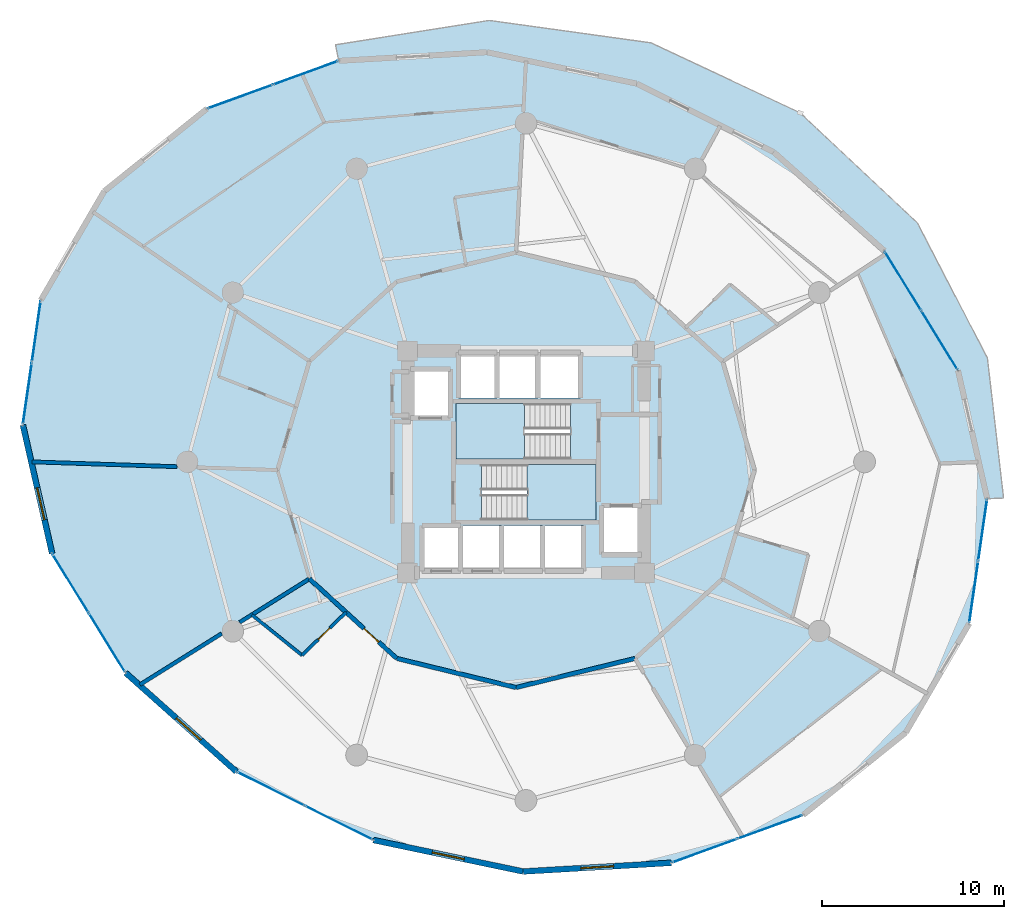
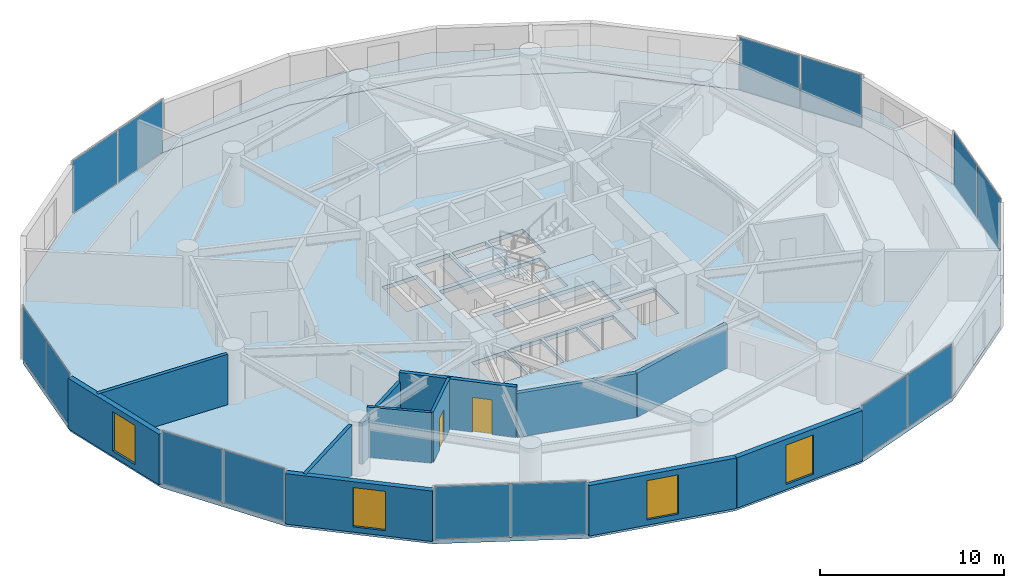
# One storey, part 20 of 26: 14 plates, 13 walls, 4 slabs, 4 windows, 2 doors, 6 openings, 9 elements without a shape of their own.
"""IFC4 building model written with IfcOpenShell, lengths in metres."""

from ifc_helpers import new_model, si_unit, direction, frame, frame_2d, origin, origin_2d, place, context, subcontext, project, spatial, polyline, rectangle, outline, extrude, source, transform, mapped, material, layer, layer_set, type_object, element, fill, aggregate, save


model = new_model("IFC4")

# Units and contexts
model_context = context("Model", 3, precision=1e-05, world=origin(), true_north=direction((0.0, 1.0)))
body_context = subcontext(model_context, "Body", "Model", "MODEL_VIEW")
ifc_project = project(units=[si_unit("LENGTHUNIT", "METRE"), si_unit("AREAUNIT", "SQUARE_METRE"), si_unit("VOLUMEUNIT", "CUBIC_METRE"), si_unit("PLANEANGLEUNIT", "RADIAN"), si_unit("MASSUNIT", "GRAM", prefix="KILO")], contexts=[model_context])

# Site, building, storey
site_placement = place(None, origin())
site = spatial("IfcSite", under=ifc_project, at=site_placement, CompositionType="ELEMENT")
building_placement = place(site_placement, origin())
building = spatial("IfcBuilding", under=site, at=building_placement, Name="Solvirekh Grand Hotel", CompositionType="ELEMENT")
storey_placement = place(building_placement, frame((0.0, 0.0, 71.60009765625)))
storey = spatial("IfcBuildingStorey", under=building, at=storey_placement, Name="L17", CompositionType="ELEMENT", Elevation=71.60009765625)

# Slab
ifc_material_1 = material(Name="Concrete C50/60", Category="concrete")
ifc_layer_1 = layer(ifc_material_1, 0.215087890625)
ifc_layer_set_1 = layer_set([ifc_layer_1], Name="Concrete C50/60")
slab_type_1 = type_object("IfcSlabType", Name="ExtCrescentBalc_215", PredefinedType="FLOOR", material=ifc_layer_set_1)
slab_1_placement = place(storey_placement, frame((0.0, 0.0, -0.215087890625)))
element("IfcSlab", 1, at=slab_1_placement, inside=storey, type_object=slab_type_1, Name="L17 sweeping crescent balcony slab", PredefinedType="FLOOR", context=body_context, shape_type="SweptSolid", body=[
    extrude(outline(polyline([(26.235107421875, -1.985107421875), (25.347900390625, 5.698974609375), (21.5029296875, 13.1201171875), (15.06494140625, 19.169921875), (6.864990234375, 23.01708984375), (-2.014892578125, 24.248046875), (-10.4619140625, 22.909912109375), (-10.283935546875, 22.028076171875), (-2.14794921875, 22.5029296875), (6.0849609375, 20.77587890625), (13.610107421875, 17.01611328125), (19.69091796875, 11.589111328125), (23.73095703125, 5.028076171875), (25.3359375, -2.02490234375), (26.235107421875, -1.985107421875)])), origin(), (0.0, 0.0, 1.0), 0.215087890625),
])

# Stair, slab
ifc_material_2 = material(Name="Concrete C40/50", Category="concrete")
stair_type = type_object("IfcStairType", Name="Stair_Core_1450", PredefinedType="HALF_TURN_STAIR", material=ifc_material_2)
stair_1_placement = place(storey_placement, origin())
stair_1 = element("IfcStair", 2, at=stair_1_placement, inside=storey, type_object=stair_type, Name="L17 Enclosed exit stair ST-1", PredefinedType="HALF_TURN_STAIR")
ifc_layer_2 = layer(ifc_material_2, 0.199951171875)
ifc_layer_set_2 = layer_set([ifc_layer_2], Name="Concrete C40/50")
slab_type_2 = type_object("IfcSlabType", Name="Landing_Stair_200", PredefinedType="LANDING", material=ifc_layer_set_2)
slab_2_placement = place(storey_placement, frame((0.0, 0.0, 1.599853515625)))
slab_2 = element("IfcSlab", 3, at=slab_2_placement, type_object=slab_type_2, Name="ST-1 landing 1", PredefinedType="LANDING", context=body_context, shape_type="SweptSolid", body=[
    extrude(outline(polyline([(0.070068359375, -3.199951171875), (3.85009765625, -3.199951171875), (3.85009765625, -0.14990234375), (0.070068359375, -0.14990234375), (0.070068359375, -3.199951171875)])), origin(), (0.0, 0.0, 1.0), 0.199951171875),
])
aggregate(stair_1, [slab_2])

stair_2_placement = place(storey_placement, origin())
stair_2 = element("IfcStair", 4, at=stair_2_placement, inside=storey, type_object=stair_type, Name="L17 Enclosed exit stair ST-2", PredefinedType="HALF_TURN_STAIR")
slab_3_placement = place(storey_placement, frame((0.0, 0.0, 1.599853515625)))
slab_3 = element("IfcSlab", 5, at=slab_3_placement, type_object=slab_type_2, Name="ST-2 landing 1", PredefinedType="LANDING", context=body_context, shape_type="SweptSolid", body=[
    extrude(outline(polyline([(-0.070068359375, 3.199951171875), (-3.85009765625, 3.199951171875), (-3.85009765625, 0.14990234375), (-0.070068359375, 0.14990234375), (-0.070068359375, 3.199951171875)])), origin(), (0.0, 0.0, 1.0), 0.199951171875),
])
aggregate(stair_2, [slab_3])

# Slab
ifc_layer_3 = layer(ifc_material_1, 0.260009765625)
ifc_layer_set_3 = layer_set([ifc_layer_3], Name="Concrete C50/60")
slab_type_3 = type_object("IfcSlabType", Name="Slab_GuestZ1_260", PredefinedType="FLOOR", material=ifc_layer_set_3)
slab_4_placement = place(storey_placement, frame((0.0, 0.0, -0.260009765625)))
element("IfcSlab", 6, at=slab_4_placement, inside=storey, type_object=slab_type_3, Name="L17 structural floor slab", PredefinedType="FLOOR", context=body_context, shape_type="SweptSolid", body=[
    extrude(outline(polyline([(24.347900390625, -8.87890625), (25.3359375, -2.02490234375), (23.73095703125, 5.028076171875), (19.69091796875, 11.589111328125), (13.610107421875, 17.01611328125), (6.0849609375, 20.77587890625), (-2.14794921875, 22.5029296875), (-10.283935546875, 22.028076171875), (-17.52587890625, 19.39599609375), (-23.1640625, 14.864990234375), (-26.64794921875, 8.87890625), (-27.635986328125, 2.02490234375), (-26.031005859375, -5.028076171875), (-21.990966796875, -11.589111328125), (-15.909912109375, -17.01611328125), (-8.385009765625, -20.77587890625), (-0.152099609375, -22.5029296875), (7.98388671875, -22.028076171875), (15.22607421875, -19.39599609375), (20.864013671875, -14.864990234375), (24.347900390625, -8.87890625)]), holes=[polyline([(-2.444091796875, -0.14990234375), (3.85009765625, -0.14990234375), (3.85009765625, -3.199951171875), (-2.444091796875, -3.199951171875), (-2.444091796875, -0.14990234375)]), polyline([(2.444091796875, 0.14990234375), (-3.85009765625, 0.14990234375), (-3.85009765625, 3.199951171875), (2.444091796875, 3.199951171875), (2.444091796875, 0.14990234375)]), polyline([(-5.699951171875, -3.5), (-3.60009765625, -3.5), (-3.60009765625, -6.0), (-5.699951171875, -6.0), (-5.699951171875, -3.5)]), polyline([(-3.449951171875, -3.5), (-1.35009765625, -3.5), (-1.35009765625, -6.0), (-3.449951171875, -6.0), (-3.449951171875, -3.5)]), polyline([(-1.199951171875, -3.5), (0.89990234375, -3.5), (0.89990234375, -6.0), (-1.199951171875, -6.0), (-1.199951171875, -3.5)]), polyline([(1.050048828125, -3.5), (3.14990234375, -3.5), (3.14990234375, -6.0), (1.050048828125, -6.0), (1.050048828125, -3.5)]), polyline([(-3.699951171875, 6.0), (-1.60009765625, 6.0), (-1.60009765625, 3.5), (-3.699951171875, 3.5), (-3.699951171875, 6.0)]), polyline([(-1.449951171875, 6.0), (0.64990234375, 6.0), (0.64990234375, 3.5), (-1.449951171875, 3.5), (-1.449951171875, 6.0)]), polyline([(0.800048828125, 6.0), (3.0, 6.0), (3.0, 3.5), (0.800048828125, 3.5), (0.800048828125, 6.0)]), polyline([(-6.35009765625, 5.10009765625), (-4.14990234375, 5.10009765625), (-4.14990234375, 2.39990234375), (-6.35009765625, 2.39990234375), (-6.35009765625, 5.10009765625)]), polyline([(4.14990234375, -2.39990234375), (6.35009765625, -2.39990234375), (6.35009765625, -5.10009765625), (4.14990234375, -5.10009765625), (4.14990234375, -2.39990234375)])]), origin(), (0.0, 0.0, 1.0), 0.260009765625),
])

# Curtain wall, plates
ifc_material_3 = material(Name="Anodized Bronze Aluminium 6063-T6", Category="aluminium")
ifc_layer_4 = layer(ifc_material_3, 0.18994140625)
ifc_layer_set_4 = layer_set([ifc_layer_4], Name="Anodized Bronze Aluminium 6063-T6")
curtain_wall_type = type_object("IfcCurtainWallType", Name="CW_Sys2_LowZoneFlushBronzeCW", PredefinedType="NOTDEFINED", material=ifc_layer_set_4)
curtain_wall_1_placement = place(storey_placement, origin())
curtain_wall_1 = element("IfcCurtainWall", 7, at=curtain_wall_1_placement, inside=storey, type_object=curtain_wall_type, Name="L17 unitised bronze-glass curtain wall CW-L17-C01", PredefinedType="NOTDEFINED")
ifc_material_4 = material(Name="Low-E Tinted Bronze Laminated Glass", Category="aluminium")
ifc_layer_5 = layer(ifc_material_4, 0.0380859375)
ifc_layer_set_5 = layer_set([ifc_layer_5], Name="Low-E Tinted Bronze Laminated Glass")
plate_type = type_object("IfcPlateType", Name="CWPanel_Low_38", PredefinedType="CURTAIN_PANEL", material=ifc_layer_set_5)
shared_shape_1 = source(origin(), body_context, "Body", "SweptSolid", [
    extrude(rectangle(XDim=3.357421875, YDim=0.0380859375, at=origin_2d()), origin(), (0.0, 0.0, 1.0), 3.47998046875),
])
plate_1_placement = place(storey_placement, frame((24.597412109375, -7.148193359375, 0.059814453125), z_axis=(0.0, 0.0, 1.0), x_axis=(0.142674700774, 0.989769634692, 0.0)))
plate_1 = element("IfcPlate", 8, at=plate_1_placement, type_object=plate_type, Name="U02 panel 1.1", PredefinedType="CURTAIN_PANEL", context=body_context, shape_type="MappedRepresentation", body=[
    mapped(shared_shape_1, transform((0.0, 0.0, 0.0), x_axis=(1.0, 0.0, 0.0), y_axis=(0.0, 1.0, 0.0), z_axis=(0.0, 0.0, 1.0), scale=1.0)),
])
plate_2_placement = place(storey_placement, frame((25.08642578125, -3.755859375, 0.059814453125), z_axis=(0.0, 0.0, 1.0), x_axis=(0.142674700774, 0.989769634692, 0.0)))
plate_2 = element("IfcPlate", 9, at=plate_2_placement, type_object=plate_type, Name="U02 panel 2.1", PredefinedType="CURTAIN_PANEL", context=body_context, shape_type="MappedRepresentation", body=[
    mapped(shared_shape_1, transform((0.0, 0.0, 0.0), x_axis=(1.0, 0.0, 0.0), y_axis=(0.0, 1.0, 0.0), z_axis=(0.0, 0.0, 1.0), scale=1.0)),
])
aggregate(curtain_wall_1, [plate_1, plate_2])

curtain_wall_2_placement = place(storey_placement, origin())
curtain_wall_2 = element("IfcCurtainWall", 10, at=curtain_wall_2_placement, inside=storey, type_object=curtain_wall_type, Name="L17 unitised bronze-glass curtain wall CW-L17-C11", PredefinedType="NOTDEFINED")
plate_3_placement = place(storey_placement, frame((-26.8974609375, 7.148193359375, 0.059814453125), z_axis=(0.0, 0.0, 1.0), x_axis=(-0.142674700774, -0.989769634692, 0.0)))
plate_3 = element("IfcPlate", 11, at=plate_3_placement, type_object=plate_type, Name="U02 panel 1.1", PredefinedType="CURTAIN_PANEL", context=body_context, shape_type="MappedRepresentation", body=[
    mapped(shared_shape_1, transform((0.0, 0.0, 0.0), x_axis=(1.0, 0.0, 0.0), y_axis=(0.0, 1.0, 0.0), z_axis=(0.0, 0.0, 1.0), scale=1.0)),
])
plate_4_placement = place(storey_placement, frame((-27.386474609375, 3.755859375, 0.059814453125), z_axis=(0.0, 0.0, 1.0), x_axis=(-0.142674700774, -0.989769634692, 0.0)))
plate_4 = element("IfcPlate", 12, at=plate_4_placement, type_object=plate_type, Name="U02 panel 2.1", PredefinedType="CURTAIN_PANEL", context=body_context, shape_type="MappedRepresentation", body=[
    mapped(shared_shape_1, transform((0.0, 0.0, 0.0), x_axis=(1.0, 0.0, 0.0), y_axis=(0.0, 1.0, 0.0), z_axis=(0.0, 0.0, 1.0), scale=1.0)),
])
aggregate(curtain_wall_2, [plate_3, plate_4])

curtain_wall_3_placement = place(storey_placement, origin())
curtain_wall_3 = element("IfcCurtainWall", 13, at=curtain_wall_3_placement, inside=storey, type_object=curtain_wall_type, Name="L17 unitised bronze-glass curtain wall CW-L17-C03", PredefinedType="NOTDEFINED")
shared_shape_2 = source(origin(), body_context, "Body", "SweptSolid", [
    extrude(rectangle(XDim=3.74755859375, YDim=0.0380859375, at=origin_2d()), origin(), (0.0, 0.0, 1.0), 3.47998046875),
])
plate_5_placement = place(storey_placement, frame((22.7119140625, 6.68310546875, 0.059814453125), z_axis=(0.0, 0.0, 1.0), x_axis=(-0.524329124403, 0.851515689405, 0.0)))
plate_5 = element("IfcPlate", 14, at=plate_5_placement, type_object=plate_type, Name="U02 panel 1.1", PredefinedType="CURTAIN_PANEL", context=body_context, shape_type="MappedRepresentation", body=[
    mapped(shared_shape_2, transform((0.0, 0.0, 0.0), x_axis=(1.0, 0.0, 0.0), y_axis=(0.0, 1.0, 0.0), z_axis=(0.0, 0.0, 1.0), scale=1.0)),
])
plate_6_placement = place(storey_placement, frame((20.710205078125, 9.933837890625, 0.059814453125), z_axis=(0.0, 0.0, 1.0), x_axis=(-0.524329124403, 0.851515689405, 0.0)))
plate_6 = element("IfcPlate", 15, at=plate_6_placement, type_object=plate_type, Name="U02 panel 2.1", PredefinedType="CURTAIN_PANEL", context=body_context, shape_type="MappedRepresentation", body=[
    mapped(shared_shape_2, transform((0.0, 0.0, 0.0), x_axis=(1.0, 0.0, 0.0), y_axis=(0.0, 1.0, 0.0), z_axis=(0.0, 0.0, 1.0), scale=1.0)),
])
aggregate(curtain_wall_3, [plate_5, plate_6])

curtain_wall_4_placement = place(storey_placement, origin())
curtain_wall_4 = element("IfcCurtainWall", 16, at=curtain_wall_4_placement, inside=storey, type_object=curtain_wall_type, Name="L17 unitised bronze-glass curtain wall CW-L17-C13", PredefinedType="NOTDEFINED")
plate_7_placement = place(storey_placement, frame((-25.01171875, -6.68310546875, 0.059814453125), z_axis=(0.0, 0.0, 1.0), x_axis=(0.524329124403, -0.851515689405, 0.0)))
plate_7 = element("IfcPlate", 17, at=plate_7_placement, type_object=plate_type, Name="U02 panel 1.1", PredefinedType="CURTAIN_PANEL", context=body_context, shape_type="MappedRepresentation", body=[
    mapped(shared_shape_2, transform((0.0, 0.0, 0.0), x_axis=(1.0, 0.0, 0.0), y_axis=(0.0, 1.0, 0.0), z_axis=(0.0, 0.0, 1.0), scale=1.0)),
])
plate_8_placement = place(storey_placement, frame((-23.01025390625, -9.933837890625, 0.059814453125), z_axis=(0.0, 0.0, 1.0), x_axis=(0.524329124403, -0.851515689405, 0.0)))
plate_8 = element("IfcPlate", 18, at=plate_8_placement, type_object=plate_type, Name="U02 panel 2.1", PredefinedType="CURTAIN_PANEL", context=body_context, shape_type="MappedRepresentation", body=[
    mapped(shared_shape_2, transform((0.0, 0.0, 0.0), x_axis=(1.0, 0.0, 0.0), y_axis=(0.0, 1.0, 0.0), z_axis=(0.0, 0.0, 1.0), scale=1.0)),
])
aggregate(curtain_wall_4, [plate_7, plate_8])

curtain_wall_5_placement = place(storey_placement, origin())
curtain_wall_5 = element("IfcCurtainWall", 19, at=curtain_wall_5_placement, inside=storey, type_object=curtain_wall_type, Name="L17 unitised bronze-glass curtain wall CW-L17-C08", PredefinedType="NOTDEFINED")
shared_shape_3 = source(origin(), body_context, "Body", "SweptSolid", [
    extrude(rectangle(XDim=3.747802734375, YDim=0.0380859375, at=origin_2d()), origin(), (0.0, 0.0, 1.0), 3.47998046875),
])
plate_9_placement = place(storey_placement, frame((-12.11083984375, 21.364013671875, 0.059814453125), z_axis=(0.0, 0.0, 1.0), x_axis=(-0.939854035032, -0.341576335296, 0.0)))
plate_9 = element("IfcPlate", 20, at=plate_9_placement, type_object=plate_type, Name="U02 panel 1.1", PredefinedType="CURTAIN_PANEL", context=body_context, shape_type="MappedRepresentation", body=[
    mapped(shared_shape_3, transform((0.0, 0.0, 0.0), x_axis=(1.0, 0.0, 0.0), y_axis=(0.0, 1.0, 0.0), z_axis=(0.0, 0.0, 1.0), scale=1.0)),
])
plate_10_placement = place(storey_placement, frame((-15.698974609375, 20.06005859375, 0.059814453125), z_axis=(0.0, 0.0, 1.0), x_axis=(-0.939854035032, -0.341576335296, 0.0)))
plate_10 = element("IfcPlate", 21, at=plate_10_placement, type_object=plate_type, Name="U02 panel 2.1", PredefinedType="CURTAIN_PANEL", context=body_context, shape_type="MappedRepresentation", body=[
    mapped(shared_shape_3, transform((0.0, 0.0, 0.0), x_axis=(1.0, 0.0, 0.0), y_axis=(0.0, 1.0, 0.0), z_axis=(0.0, 0.0, 1.0), scale=1.0)),
])
aggregate(curtain_wall_5, [plate_9, plate_10])

curtain_wall_6_placement = place(storey_placement, origin())
curtain_wall_6 = element("IfcCurtainWall", 22, at=curtain_wall_6_placement, inside=storey, type_object=curtain_wall_type, Name="L17 unitised bronze-glass curtain wall CW-L17-C18", PredefinedType="NOTDEFINED")
plate_11_placement = place(storey_placement, frame((9.81103515625, -21.364013671875, 0.059814453125), z_axis=(0.0, 0.0, 1.0), x_axis=(0.939854035032, 0.341576335296, 0.0)))
plate_11 = element("IfcPlate", 23, at=plate_11_placement, type_object=plate_type, Name="U02 panel 1.1", PredefinedType="CURTAIN_PANEL", context=body_context, shape_type="MappedRepresentation", body=[
    mapped(shared_shape_3, transform((0.0, 0.0, 0.0), x_axis=(1.0, 0.0, 0.0), y_axis=(0.0, 1.0, 0.0), z_axis=(0.0, 0.0, 1.0), scale=1.0)),
])
plate_12_placement = place(storey_placement, frame((13.399169921875, -20.06005859375, 0.059814453125), z_axis=(0.0, 0.0, 1.0), x_axis=(0.939854035032, 0.341576335296, 0.0)))
plate_12 = element("IfcPlate", 24, at=plate_12_placement, type_object=plate_type, Name="U02 panel 2.1", PredefinedType="CURTAIN_PANEL", context=body_context, shape_type="MappedRepresentation", body=[
    mapped(shared_shape_3, transform((0.0, 0.0, 0.0), x_axis=(1.0, 0.0, 0.0), y_axis=(0.0, 1.0, 0.0), z_axis=(0.0, 0.0, 1.0), scale=1.0)),
])
aggregate(curtain_wall_6, [plate_11, plate_12])

curtain_wall_7_placement = place(storey_placement, origin())
curtain_wall_7 = element("IfcCurtainWall", 25, at=curtain_wall_7_placement, inside=storey, type_object=curtain_wall_type, Name="L17 unitised bronze-glass curtain wall CW-L17-C15", PredefinedType="NOTDEFINED")
shared_shape_4 = source(origin(), body_context, "Body", "SweptSolid", [
    extrude(rectangle(XDim=4.10107421875, YDim=0.0380859375, at=origin_2d()), origin(), (0.0, 0.0, 1.0), 3.47998046875),
])
plate_13_placement = place(storey_placement, frame((-14.01318359375, -17.9638671875, 0.059814453125), z_axis=(0.0, 0.0, 1.0), x_axis=(0.894546035953, -0.446975826596, 0.0)))
plate_13 = element("IfcPlate", 26, at=plate_13_placement, type_object=plate_type, Name="U02 panel 1.1", PredefinedType="CURTAIN_PANEL", context=body_context, shape_type="MappedRepresentation", body=[
    mapped(shared_shape_4, transform((0.0, 0.0, 0.0), x_axis=(1.0, 0.0, 0.0), y_axis=(0.0, 1.0, 0.0), z_axis=(0.0, 0.0, 1.0), scale=1.0)),
])
plate_14_placement = place(storey_placement, frame((-10.281982421875, -19.828125, 0.059814453125), z_axis=(0.0, 0.0, 1.0), x_axis=(0.894546035953, -0.446975826596, 0.0)))
plate_14 = element("IfcPlate", 27, at=plate_14_placement, type_object=plate_type, Name="U02 panel 2.1", PredefinedType="CURTAIN_PANEL", context=body_context, shape_type="MappedRepresentation", body=[
    mapped(shared_shape_4, transform((0.0, 0.0, 0.0), x_axis=(1.0, 0.0, 0.0), y_axis=(0.0, 1.0, 0.0), z_axis=(0.0, 0.0, 1.0), scale=1.0)),
])
aggregate(curtain_wall_7, [plate_13, plate_14])

# Wall, opening, window
ifc_material_5 = material(Name="Precast concrete C45/55", Category="concrete")
ifc_layer_6 = layer(ifc_material_5, 0.320068359375)
ifc_layer_set_6 = layer_set([ifc_layer_6], Name="Precast concrete C45/55")
wall_type_1 = type_object("IfcWallType", Name="ExtLobbyWall_RC320", PredefinedType="SOLIDWALL", material=ifc_layer_set_6)
wall_1_placement = place(storey_placement, frame((-26.031005859375, -5.028076171875, 0.0), z_axis=(0.0, 0.0, 1.0), x_axis=(-0.221888063911, 0.975072144558, 0.0)))
wall_1 = element("IfcWall", 28, at=wall_1_placement, inside=storey, type_object=wall_type_1, Name="L17 exterior structural wall chord 12", PredefinedType="SOLIDWALL", context=body_context, shape_type="SweptSolid", body=[
    extrude(rectangle(XDim=7.2333984375, YDim=0.320068359375, at=frame_2d((3.61669921875, 0.0))), origin(), (0.0, 0.0, 1.0), 3.33984375),
])
opening_1_placement = place(wall_1_placement, frame((1.888916015625, 0.0, 0.35009765625)))
opening_1 = element("IfcOpeningElement", 29, at=opening_1_placement, cuts=wall_1, Name="Opening W02", PredefinedType="OPENING", context=body_context, shape_type="SweptSolid", body=[
    extrude(rectangle(XDim=1.800048828125, YDim=2.60009765625, at=frame_2d((0.89990234375, 1.300048828125))), frame((0.0, 0.169921875, 0.0), z_axis=(0.0, -1.0, 0.0), x_axis=(1.0, 0.0, 0.0)), (0.0, 0.0, 1.0), 0.340087890625),
])
window_type = type_object("IfcWindowType", Name="Win_LobbyExt_1800X2600", PartitioningType="SINGLE_PANEL", PredefinedType="WINDOW", material=ifc_material_4)
window_1_placement = place(opening_1_placement, origin())
window_1 = element("IfcWindow", 30, at=window_1_placement, inside=storey, type_object=window_type, Name="L17 panoramic bronze-framed window 12", OverallHeight=2.60009765625, OverallWidth=1.800048828125, PartitioningType="SINGLE_PANEL", PredefinedType="WINDOW", context=body_context, shape_type="SweptSolid", body=[
    extrude(rectangle(XDim=1.800048828125, YDim=2.60009765625, at=frame_2d((0.89990234375, 1.300048828125))), frame((0.0, 0.030029296875, 0.0), z_axis=(0.0, -1.0, 0.0), x_axis=(1.0, 0.0, 0.0)), (0.0, 0.0, 1.0), 0.06005859375),
])
fill(opening_1, window_1)

wall_2_placement = place(storey_placement, frame((-15.909912109375, -17.01611328125, 0.0), z_axis=(0.0, 0.0, 1.0), x_axis=(-0.746090706356, 0.665844319559, 0.0)))
wall_2 = element("IfcWall", 31, at=wall_2_placement, inside=storey, type_object=wall_type_1, Name="L17 exterior structural wall chord 14", PredefinedType="SOLIDWALL", context=body_context, shape_type="SweptSolid", body=[
    extrude(rectangle(XDim=8.150634765625, YDim=0.320068359375, at=frame_2d((4.0751953125, 0.0))), origin(), (0.0, 0.0, 1.0), 3.33984375),
])
opening_2_placement = place(wall_2_placement, frame((2.614013671875, 0.0, 0.35009765625)))
opening_2 = element("IfcOpeningElement", 32, at=opening_2_placement, cuts=wall_2, Name="Opening W02", PredefinedType="OPENING", context=body_context, shape_type="SweptSolid", body=[
    extrude(rectangle(XDim=1.800048828125, YDim=2.60009765625, at=frame_2d((0.89990234375, 1.300048828125))), frame((0.0, 0.169921875, 0.0), z_axis=(0.0, -1.0, 0.0), x_axis=(1.0, 0.0, 0.0)), (0.0, 0.0, 1.0), 0.340087890625),
])
window_2_placement = place(opening_2_placement, origin())
window_2 = element("IfcWindow", 33, at=window_2_placement, inside=storey, type_object=window_type, Name="L17 panoramic bronze-framed window 14", OverallHeight=2.60009765625, OverallWidth=1.800048828125, PartitioningType="SINGLE_PANEL", PredefinedType="WINDOW", context=body_context, shape_type="SweptSolid", body=[
    extrude(rectangle(XDim=1.800048828125, YDim=2.60009765625, at=frame_2d((0.89990234375, 1.300048828125))), frame((0.0, 0.030029296875, 0.0), z_axis=(0.0, -1.0, 0.0), x_axis=(1.0, 0.0, 0.0)), (0.0, 0.0, 1.0), 0.06005859375),
])
fill(opening_2, window_2)

wall_3_placement = place(storey_placement, frame((-0.152099609375, -22.5029296875, 0.0), z_axis=(0.0, 0.0, 1.0), x_axis=(-0.978697953962, 0.205305418609, 0.0)))
wall_3 = element("IfcWall", 34, at=wall_3_placement, inside=storey, type_object=wall_type_1, Name="L17 exterior structural wall chord 16", PredefinedType="SOLIDWALL", context=body_context, shape_type="SweptSolid", body=[
    extrude(rectangle(XDim=8.412109375, YDim=0.320068359375, at=frame_2d((4.2060546875, 0.0))), origin(), (0.0, 0.0, 1.0), 3.33984375),
])
opening_3_placement = place(wall_3_placement, frame((3.305908203125, 0.0, 0.35009765625)))
opening_3 = element("IfcOpeningElement", 35, at=opening_3_placement, cuts=wall_3, Name="Opening W02", PredefinedType="OPENING", context=body_context, shape_type="SweptSolid", body=[
    extrude(rectangle(XDim=1.800048828125, YDim=2.60009765625, at=frame_2d((0.89990234375, 1.300048828125))), frame((0.0, 0.169921875, 0.0), z_axis=(0.0, -1.0, 0.0), x_axis=(1.0, 0.0, 0.0)), (0.0, 0.0, 1.0), 0.340087890625),
])
window_3_placement = place(opening_3_placement, origin())
window_3 = element("IfcWindow", 36, at=window_3_placement, inside=storey, type_object=window_type, Name="L17 panoramic bronze-framed window 16", OverallHeight=2.60009765625, OverallWidth=1.800048828125, PartitioningType="SINGLE_PANEL", PredefinedType="WINDOW", context=body_context, shape_type="SweptSolid", body=[
    extrude(rectangle(XDim=1.800048828125, YDim=2.60009765625, at=frame_2d((0.89990234375, 1.300048828125))), frame((0.0, 0.030029296875, 0.0), z_axis=(0.0, -1.0, 0.0), x_axis=(1.0, 0.0, 0.0)), (0.0, 0.0, 1.0), 0.06005859375),
])
fill(opening_3, window_3)

wall_4_placement = place(storey_placement, frame((7.98388671875, -22.028076171875, 0.0), z_axis=(0.0, 0.0, 1.0), x_axis=(-0.998301126335, -0.058265437081, 0.0)))
wall_4 = element("IfcWall", 37, at=wall_4_placement, inside=storey, type_object=wall_type_1, Name="L17 exterior structural wall chord 17", PredefinedType="SOLIDWALL", context=body_context, shape_type="SweptSolid", body=[
    extrude(rectangle(XDim=8.14990234375, YDim=0.320068359375, at=frame_2d((4.074951171875, 0.0))), origin(), (0.0, 0.0, 1.0), 3.33984375),
])
opening_4_placement = place(wall_4_placement, frame((3.175048828125, 0.0, 0.35009765625)))
opening_4 = element("IfcOpeningElement", 38, at=opening_4_placement, cuts=wall_4, Name="Opening W02", PredefinedType="OPENING", context=body_context, shape_type="SweptSolid", body=[
    extrude(rectangle(XDim=1.800048828125, YDim=2.60009765625, at=frame_2d((0.89990234375, 1.300048828125))), frame((0.0, 0.169921875, 0.0), z_axis=(0.0, -1.0, 0.0), x_axis=(1.0, 0.0, 0.0)), (0.0, 0.0, 1.0), 0.340087890625),
])
window_4_placement = place(opening_4_placement, origin())
window_4 = element("IfcWindow", 39, at=window_4_placement, inside=storey, type_object=window_type, Name="L17 panoramic bronze-framed window 17", OverallHeight=2.60009765625, OverallWidth=1.800048828125, PartitioningType="SINGLE_PANEL", PredefinedType="WINDOW", context=body_context, shape_type="SweptSolid", body=[
    extrude(rectangle(XDim=1.800048828125, YDim=2.60009765625, at=frame_2d((0.89990234375, 1.300048828125))), frame((0.0, 0.030029296875, 0.0), z_axis=(0.0, -1.0, 0.0), x_axis=(1.0, 0.0, 0.0)), (0.0, 0.0, 1.0), 0.06005859375),
])
fill(opening_4, window_4)

# Walls
ifc_material_6 = material(Name="Acoustic Gypsum Partition Assembly")
ifc_layer_7 = layer(ifc_material_6, 0.239990234375)
ifc_layer_set_7 = layer_set([ifc_layer_7], Name="Acoustic Gypsum Partition Assembly")
wall_type_2 = type_object("IfcWallType", Name="Part_Corridor_240", PredefinedType="PARTITIONING", material=ifc_layer_set_7)
wall_5_placement = place(storey_placement, frame((-11.89501953125, -6.425048828125, 0.0), z_axis=(0.0, 0.0, 1.0), x_axis=(0.738828610863, -0.673893377153, 0.0)))
element("IfcWall", 40, at=wall_5_placement, inside=storey, type_object=wall_type_2, Name="L17 En-suite Bathroom 1901 corridor backing wall", PredefinedType="PARTITIONING", context=body_context, shape_type="SweptSolid", body=[
    extrude(rectangle(XDim=2.725830078125, YDim=0.239990234375, at=frame_2d((1.36279296875, 0.0))), origin(), (0.0, 0.0, 1.0), 3.33984375),
])
for number, where, z_axis, x_axis, name in (
    (41, (-7.10009765625, -10.799072265625, 0.0), (0.0, 0.0, 1.0), (0.971409027631, -0.237412091177, 0.0), "L17 Presidential Suite 1901 Living Room corridor wall 1"),
    (42, (-0.550048828125, -12.39990234375, 0.0), (0.0, 0.0, 1.0), (0.971409027631, 0.237412091177, 0.0), "L17 Presidential Suite 1901 Living Room corridor wall 2"),
):
    element("IfcWall", number, at=place(storey_placement, frame(where, z_axis=z_axis, x_axis=x_axis)), inside=storey, type_object=wall_type_2, Name=name, PredefinedType="PARTITIONING", context=body_context, shape_type="SweptSolid", body=[
        extrude(rectangle(XDim=6.742919921875, YDim=0.239990234375, at=frame_2d((3.37158203125, 0.0))), origin(), (0.0, 0.0, 1.0), 2.9169921875),
    ])

# Wall, opening, door
wall_6_placement = place(storey_placement, frame((-9.881103515625, -8.261962890625, 0.0), z_axis=(0.0, 0.0, 1.0), x_axis=(0.738759226612, -0.67396943929, 0.0)))
wall_6 = element("IfcWall", 43, at=wall_6_placement, inside=storey, type_object=wall_type_2, Name="L17 Presidential Suite 1901 Living Room entrance wall", PredefinedType="PARTITIONING", context=body_context, shape_type="SweptSolid", body=[
    extrude(rectangle(XDim=3.764404296875, YDim=0.239990234375, at=frame_2d((1.88232421875, 0.0))), origin(), (0.0, 0.0, 1.0), 3.33984375),
])
opening_5_placement = place(wall_6_placement, frame((1.33203125, 0.0, 0.0)))
opening_5 = element("IfcOpeningElement", 44, at=opening_5_placement, cuts=wall_6, Name="Opening D08", PredefinedType="OPENING", context=body_context, shape_type="SweptSolid", body=[
    extrude(rectangle(XDim=1.10009765625, YDim=2.300048828125, at=frame_2d((0.550048828125, 1.14990234375))), frame((0.0, 0.1298828125, 0.0), z_axis=(0.0, -1.0, 0.0), x_axis=(1.0, 0.0, 0.0)), (0.0, 0.0, 1.0), 0.260009765625),
])
ifc_material_7 = material(Name="Fire-Rated Steel Door Assembly", Category="steel")
door_type_1 = type_object("IfcDoorType", Name="Door_SuiteEntry_1100X2300", OperationType="NOTDEFINED", PredefinedType="DOOR", material=ifc_material_7)
door_1_placement = place(opening_5_placement, origin())
door_1 = element("IfcDoor", 45, at=door_1_placement, inside=storey, type_object=door_type_1, Name="L17 Presidential Suite 1901 Living Room entrance door", OperationType="SINGLE_SWING_LEFT", OverallHeight=2.300048828125, OverallWidth=1.10009765625, PredefinedType="DOOR", context=body_context, shape_type="SweptSolid", body=[
    extrude(rectangle(XDim=1.10009765625, YDim=2.300048828125, at=frame_2d((0.550048828125, 1.14990234375))), frame((0.0, 0.02490234375, 0.0), z_axis=(0.0, -1.0, 0.0), x_axis=(1.0, 0.0, 0.0)), (0.0, 0.0, 1.0), 0.050048828125),
])
fill(opening_5, door_1)

# Walls
ifc_layer_8 = layer(ifc_material_6, 0.2099609375)
ifc_layer_set_8 = layer_set([ifc_layer_8], Name="Acoustic Gypsum Partition Assembly")
wall_type_3 = type_object("IfcWallType", Name="Part_SuiteDemise_210", PredefinedType="PARTITIONING", material=ifc_layer_set_8)
wall_7_placement = place(storey_placement, frame((-19.159912109375, -0.26611328125, 0.0), z_axis=(0.0, 0.0, 1.0), x_axis=(-0.999443751819, 0.033349467014, 0.0)))
element("IfcWall", 46, at=wall_7_placement, inside=storey, type_object=wall_type_3, Name="L17 suite radial wall 7 (B)", PredefinedType="PARTITIONING", context=body_context, shape_type="SweptSolid", body=[
    extrude(rectangle(XDim=7.9794921875, YDim=0.2099609375, at=frame_2d((3.98974609375, 0.0))), origin(), (0.0, 0.0, 1.0), 3.33984375),
])
wall_8_placement = place(storey_placement, frame((-11.89501953125, -6.425048828125, 0.0), z_axis=(0.0, 0.0, 1.0), x_axis=(-0.848031743997, -0.529945432261, 0.0)))
element("IfcWall", 47, at=wall_8_placement, inside=storey, type_object=wall_type_3, Name="L17 suite radial wall 8 (A)", PredefinedType="PARTITIONING", context=body_context, shape_type="SweptSolid", body=[
    extrude(rectangle(XDim=4.511474609375, YDim=0.2099609375, at=frame_2d((2.255859375, 0.0))), origin(), (0.0, 0.0, 1.0), 2.708984375),
])
wall_9_placement = place(storey_placement, frame((-16.712890625, -9.43505859375, 0.0), z_axis=(0.0, 0.0, 1.0), x_axis=(-0.848026798321, -0.529953346371, 0.0)))
element("IfcWall", 48, at=wall_9_placement, inside=storey, type_object=wall_type_3, Name="L17 suite radial wall 8 (B)", PredefinedType="PARTITIONING", context=body_context, shape_type="SweptSolid", body=[
    extrude(rectangle(XDim=5.294677734375, YDim=0.2099609375, at=frame_2d((2.6474609375, 0.0))), origin(), (0.0, 0.0, 1.0), 3.33984375),
])
ifc_layer_9 = layer(ifc_material_6, 0.175048828125)
ifc_layer_set_9 = layer_set([ifc_layer_9], Name="Acoustic Gypsum Partition Assembly")
wall_type_4 = type_object("IfcWallType", Name="Plumb_Ensuite_175", PredefinedType="PLUMBINGWALL", material=ifc_layer_set_9)
wall_10_placement = place(storey_placement, frame((-15.06005859375, -8.402099609375, 0.0), z_axis=(0.0, 0.0, 1.0), x_axis=(0.778601703529, -0.627518435795, 0.0)))
element("IfcWall", 49, at=wall_10_placement, inside=storey, type_object=wall_type_4, Name="L17 En-suite Bathroom 1901 outer plumbing wall", PredefinedType="PLUMBINGWALL", context=body_context, shape_type="SweptSolid", body=[
    extrude(rectangle(XDim=3.548583984375, YDim=0.175048828125, at=frame_2d((1.7744140625, 0.0))), origin(), (0.0, 0.0, 1.0), 3.33984375),
])

# Wall, opening, door
wall_11_placement = place(storey_placement, frame((-9.881103515625, -8.261962890625, 0.0), z_axis=(0.0, 0.0, 1.0), x_axis=(-0.714323969433, -0.699815166093, 0.0)))
wall_11 = element("IfcWall", 50, at=wall_11_placement, inside=storey, type_object=wall_type_4, Name="L17 En-suite Bathroom 1901 entry plumbing wall", PredefinedType="PLUMBINGWALL", context=body_context, shape_type="SweptSolid", body=[
    extrude(rectangle(XDim=3.38232421875, YDim=0.175048828125, at=frame_2d((1.691162109375, 0.0))), origin(), (0.0, 0.0, 1.0), 3.33984375),
])
opening_6_placement = place(wall_11_placement, frame((1.240966796875, 0.0, 0.0)))
opening_6 = element("IfcOpeningElement", 51, at=opening_6_placement, cuts=wall_11, Name="Opening D09", PredefinedType="OPENING", context=body_context, shape_type="SweptSolid", body=[
    extrude(rectangle(XDim=0.89990234375, YDim=2.10009765625, at=frame_2d((0.449951171875, 1.050048828125))), frame((0.0, 0.09765625, 0.0), z_axis=(0.0, -1.0, 0.0), x_axis=(1.0, 0.0, 0.0)), (0.0, 0.0, 1.0), 0.195068359375),
])
door_type_2 = type_object("IfcDoorType", Name="Door_Ensuite_900X2100", OperationType="NOTDEFINED", PredefinedType="DOOR", material=ifc_material_3)
door_2_placement = place(opening_6_placement, origin())
door_2 = element("IfcDoor", 52, at=door_2_placement, inside=storey, type_object=door_type_2, Name="L17 En-suite Bathroom 1901 door", OperationType="SINGLE_SWING_RIGHT", OverallHeight=2.10009765625, OverallWidth=0.89990234375, PredefinedType="DOOR", context=body_context, shape_type="SweptSolid", body=[
    extrude(rectangle(XDim=0.89990234375, YDim=2.10009765625, at=frame_2d((0.449951171875, 1.050048828125))), frame((0.0, 0.02490234375, 0.0), z_axis=(0.0, -1.0, 0.0), x_axis=(1.0, 0.0, 0.0)), (0.0, 0.0, 1.0), 0.050048828125),
])
fill(opening_6, door_2)

save(model, "model.ifc")
